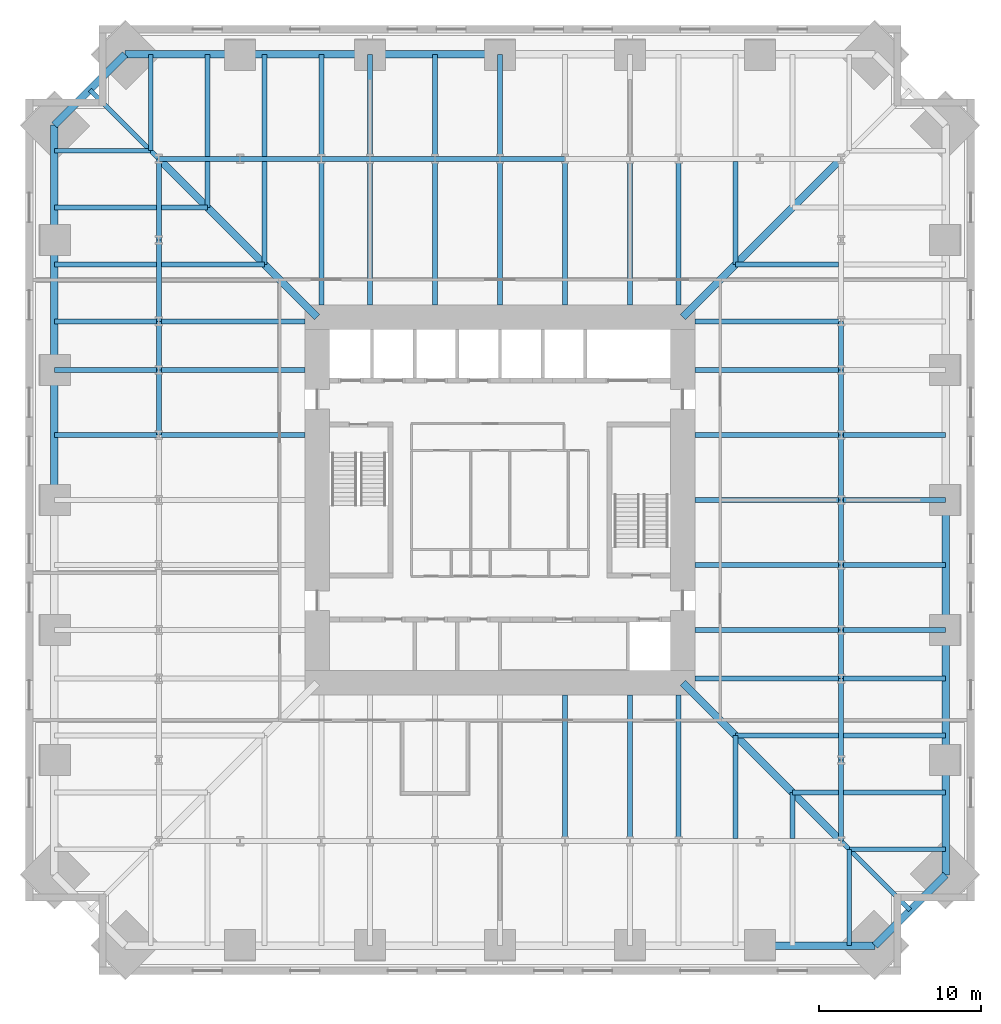
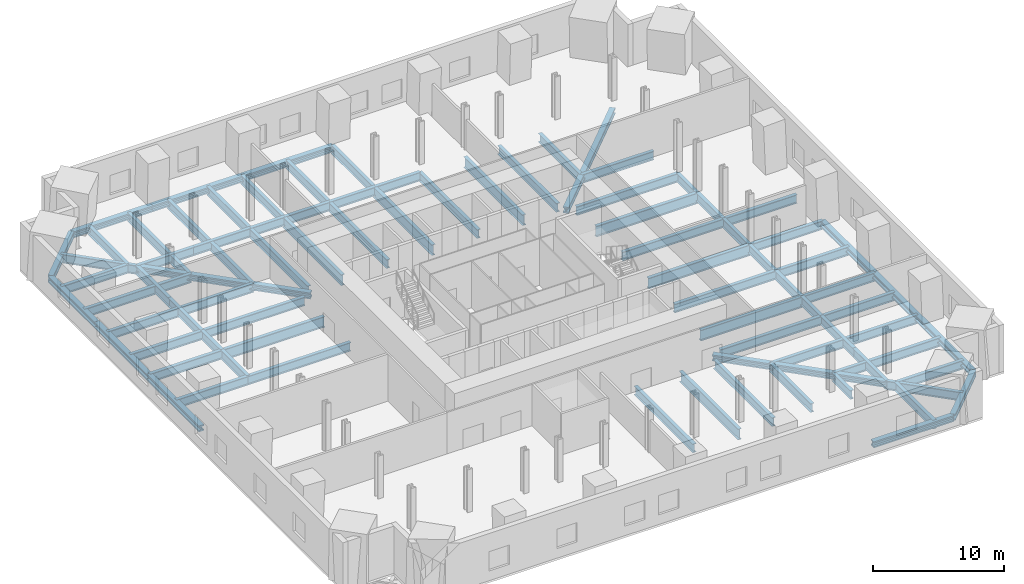
# One storey, part 2 of 8: 77 beams, 10 members.
"""IFC4 building model written with IfcOpenShell, lengths in metres."""

from ifc_helpers import new_model, si_unit, direction, frame, origin, origin_2d, place, context, subcontext, project, spatial, i_section, extrude, material, material_profile, profile_set, type_object, element, save


model = new_model("IFC4")

# Units and contexts
model_context = context("Model", 3, precision=1e-05, world=origin(), true_north=direction((0.0, 1.0)))
body_context = subcontext(model_context, "Body", "Model", "MODEL_VIEW")
ifc_project = project(units=[si_unit("LENGTHUNIT", "METRE"), si_unit("AREAUNIT", "SQUARE_METRE"), si_unit("VOLUMEUNIT", "CUBIC_METRE"), si_unit("PLANEANGLEUNIT", "RADIAN"), si_unit("MASSUNIT", "GRAM", prefix="KILO")], contexts=[model_context])

# Site, building, storey
site_placement = place(None, origin())
site = spatial("IfcSite", under=ifc_project, at=site_placement, CompositionType="ELEMENT")
building_placement = place(site_placement, origin())
building = spatial("IfcBuilding", under=site, at=building_placement, Name="Peilmerk Tower", CompositionType="ELEMENT")
storey_placement = place(building_placement, frame((0.0, 0.0, 86.0)))
storey = spatial("IfcBuildingStorey", under=building, at=storey_placement, Name="L16", CompositionType="ELEMENT", Elevation=86.0)

# Beams
ifc_material_1 = material(Name="Steel S460", Category="steel")
ifc_material_profile_1 = material_profile(ifc_material_1, i_section(OverallWidth=0.4541015625, OverallDepth=0.569091796875, WebThickness=0.077880859375, FlangeThickness=0.125, at=origin_2d()), Name="HD 400x1086")
ifc_profile_set_1 = profile_set([ifc_material_profile_1], Name="Steel S460")
beam_type_1 = type_object("IfcBeamType", Name="B17 HD 400x1086 edge beam", PredefinedType="SPANDREL", material=ifc_profile_set_1)
for number, where, z_axis, x_axis, name in (
    (1, (27.428955078125, -23.0791015625, -0.484619140625), (-0.707106781187, -0.707106781187, 0.0), (0.707106781187, -0.707106781187, 0.0), "Notch beam L16"),
    (2, (-27.428955078125, 23.0791015625, -0.484619140625), (0.707106781187, 0.707106781187, 0.0), (-0.707106781187, 0.707106781187, 0.0), "Notch beam L16"),
):
    element("IfcBeam", number, at=place(storey_placement, frame(where, z_axis=z_axis, x_axis=x_axis)), inside=storey, type_object=beam_type_1, Name=name, PredefinedType="SPANDREL", context=body_context, shape_type="SweptSolid", body=[
        extrude(i_section(OverallWidth=0.4541015625, OverallDepth=0.569091796875, WebThickness=0.077880859375, FlangeThickness=0.125, at=origin_2d()), origin(), (0.0, 0.0, 1.0), 6.151611328125),
    ])
ifc_material_2 = material(Name="Steel S355", Category="steel")
ifc_material_profile_2 = material_profile(ifc_material_2, i_section(OverallWidth=0.302001953125, OverallDepth=1.008056640625, WebThickness=0.02099609375, FlangeThickness=0.0400390625, at=origin_2d()), Name="HEM 1000")
ifc_profile_set_2 = profile_set([ifc_material_profile_2], Name="Steel S355")
beam_type_2 = type_object("IfcBeamType", Name="B24 HEM 1000 floor girder", PredefinedType="BEAM", material=ifc_profile_set_2)
for number, where, z_axis, x_axis, name in (
    (3, (8.0, 12.0, -0.7041015625), (0.0, 1.0, 0.0), (-1.0, 0.0, 0.0), "Floor girder L16"),
    (4, (0.0, 12.0, -0.7041015625), (0.0, 1.0, 0.0), (-1.0, 0.0, 0.0), "Floor girder L16"),
    (5, (-8.0, 12.0, -0.7041015625), (0.0, 1.0, 0.0), (-1.0, 0.0, 0.0), "Floor girder L16"),
    (6, (12.0, -8.0, -0.7041015625), (1.0, 0.0, 0.0), (0.0, 1.0, 0.0), "Floor girder L16"),
    (7, (12.0, 0.0, -0.7041015625), (1.0, 0.0, 0.0), (0.0, 1.0, 0.0), "Floor girder L16"),
    (8, (12.0, 8.0, -0.7041015625), (1.0, 0.0, 0.0), (0.0, 1.0, 0.0), "Floor girder L16"),
    (9, (8.0, -12.0, -0.7041015625), (0.0, -1.0, 0.0), (1.0, 0.0, 0.0), "Floor girder L16"),
    (10, (-12.0, 8.0, -0.7041015625), (-1.0, 0.0, 0.0), (0.0, -1.0, 0.0), "Floor girder L16"),
):
    element("IfcBeam", number, at=place(storey_placement, frame(where, z_axis=z_axis, x_axis=x_axis)), inside=storey, type_object=beam_type_2, Name=name, PredefinedType="BEAM", context=body_context, shape_type="SweptSolid", body=[
        extrude(i_section(OverallWidth=0.302001953125, OverallDepth=1.008056640625, WebThickness=0.02099609375, FlangeThickness=0.0400390625, at=origin_2d()), origin(), (0.0, 0.0, 1.0), 9.0),
    ])
ifc_material_profile_3 = material_profile(ifc_material_1, i_section(OverallWidth=0.302978515625, OverallDepth=0.81396484375, WebThickness=0.02099609375, FlangeThickness=0.0400390625, at=origin_2d()), Name="HEM 800")
ifc_profile_set_3 = profile_set([ifc_material_profile_3], Name="Steel S460")
beam_type_3 = type_object("IfcBeamType", Name="B26 HEM 800 floor beam", PredefinedType="BEAM", material=ifc_profile_set_3)
for number, where, z_axis, x_axis, name in (
    (11, (11.0, 12.0, -0.60693359375), (0.0, 1.0, 0.0), (-1.0, 0.0, 0.0), "Floor beam L16"),
    (12, (4.0, 12.0, -0.60693359375), (0.0, 1.0, 0.0), (-1.0, 0.0, 0.0), "Floor beam L16"),
):
    element("IfcBeam", number, at=place(storey_placement, frame(where, z_axis=z_axis, x_axis=x_axis)), inside=storey, type_object=beam_type_3, Name=name, PredefinedType="BEAM", context=body_context, shape_type="SweptSolid", body=[
        extrude(i_section(OverallWidth=0.302978515625, OverallDepth=0.81396484375, WebThickness=0.02099609375, FlangeThickness=0.0400390625, at=origin_2d()), origin(), (0.0, 0.0, 1.0), 9.0),
    ])
beam_1_placement = place(storey_placement, frame((0.0, 21.0, -0.60693359375), z_axis=(0.0, 1.0, 0.0), x_axis=(-1.0, 0.0, 0.0)))
element("IfcBeam", 13, at=beam_1_placement, inside=storey, type_object=beam_type_3, Name="Floor girder L16", PredefinedType="BEAM", context=body_context, shape_type="SweptSolid", body=[
    extrude(i_section(OverallWidth=0.302978515625, OverallDepth=0.81396484375, WebThickness=0.02099609375, FlangeThickness=0.0400390625, at=origin_2d()), origin(), (0.0, 0.0, 1.0), 6.428955078125),
])
beam_2_placement = place(storey_placement, frame((-4.0, 12.0, -0.60693359375), z_axis=(0.0, 1.0, 0.0), x_axis=(-1.0, 0.0, 0.0)))
element("IfcBeam", 14, at=beam_2_placement, inside=storey, type_object=beam_type_3, Name="Floor beam L16", PredefinedType="BEAM", context=body_context, shape_type="SweptSolid", body=[
    extrude(i_section(OverallWidth=0.302978515625, OverallDepth=0.81396484375, WebThickness=0.02099609375, FlangeThickness=0.0400390625, at=origin_2d()), origin(), (0.0, 0.0, 1.0), 9.0),
])
for number, where, z_axis, x_axis, name in (
    (15, (-4.0, 21.0, -0.60693359375), (0.0, 1.0, 0.0), (-1.0, 0.0, 0.0), "Floor beam L16"),
    (16, (-8.0, 21.0, -0.60693359375), (0.0, 1.0, 0.0), (-1.0, 0.0, 0.0), "Floor girder L16"),
):
    element("IfcBeam", number, at=place(storey_placement, frame(where, z_axis=z_axis, x_axis=x_axis)), inside=storey, type_object=beam_type_3, Name=name, PredefinedType="BEAM", context=body_context, shape_type="SweptSolid", body=[
        extrude(i_section(OverallWidth=0.302978515625, OverallDepth=0.81396484375, WebThickness=0.02099609375, FlangeThickness=0.0400390625, at=origin_2d()), origin(), (0.0, 0.0, 1.0), 6.428955078125),
    ])
beam_3_placement = place(storey_placement, frame((-11.0, 12.0, -0.60693359375), z_axis=(0.0, 1.0, 0.0), x_axis=(-1.0, 0.0, 0.0)))
element("IfcBeam", 17, at=beam_3_placement, inside=storey, type_object=beam_type_3, Name="Floor beam L16", PredefinedType="BEAM", context=body_context, shape_type="SweptSolid", body=[
    extrude(i_section(OverallWidth=0.302978515625, OverallDepth=0.81396484375, WebThickness=0.02099609375, FlangeThickness=0.0400390625, at=origin_2d()), origin(), (0.0, 0.0, 1.0), 9.0),
])
beam_4_placement = place(storey_placement, frame((-11.0, 21.0, -0.60693359375), z_axis=(0.0, 1.0, 0.0), x_axis=(-1.0, 0.0, 0.0)))
element("IfcBeam", 18, at=beam_4_placement, inside=storey, type_object=beam_type_3, Name="Floor beam L16", PredefinedType="BEAM", context=body_context, shape_type="SweptSolid", body=[
    extrude(i_section(OverallWidth=0.302978515625, OverallDepth=0.81396484375, WebThickness=0.02099609375, FlangeThickness=0.0400390625, at=origin_2d()), origin(), (0.0, 0.0, 1.0), 6.428955078125),
])
for number, where, z_axis, x_axis, name in (
    (19, (4.0, 21.0, -0.60693359375), (-1.0, 0.0, 0.0), (0.0, -1.0, 0.0), "Ring girder L16"),
    (20, (0.0, 21.0, -0.60693359375), (-1.0, 0.0, 0.0), (0.0, -1.0, 0.0), "Ring girder L16"),
    (21, (-4.0, 21.0, -0.60693359375), (-1.0, 0.0, 0.0), (0.0, -1.0, 0.0), "Ring girder L16"),
):
    element("IfcBeam", number, at=place(storey_placement, frame(where, z_axis=z_axis, x_axis=x_axis)), inside=storey, type_object=beam_type_3, Name=name, PredefinedType="BEAM", context=body_context, shape_type="SweptSolid", body=[
        extrude(i_section(OverallWidth=0.302978515625, OverallDepth=0.81396484375, WebThickness=0.02099609375, FlangeThickness=0.0400390625, at=origin_2d()), origin(), (0.0, 0.0, 1.0), 4.0),
    ])
beam_5_placement = place(storey_placement, frame((-8.0, 21.0, -0.60693359375), z_axis=(-1.0, 0.0, 0.0), x_axis=(0.0, -1.0, 0.0)))
element("IfcBeam", 22, at=beam_5_placement, inside=storey, type_object=beam_type_3, Name="Ring girder L16", PredefinedType="BEAM", context=body_context, shape_type="SweptSolid", body=[
    extrude(i_section(OverallWidth=0.302978515625, OverallDepth=0.81396484375, WebThickness=0.02099609375, FlangeThickness=0.0400390625, at=origin_2d()), origin(), (0.0, 0.0, 1.0), 3.0),
])
for number, where, z_axis, x_axis, name in (
    (23, (-11.0, 21.0, -0.60693359375), (-1.0, 0.0, 0.0), (0.0, -1.0, 0.0), "Ring girder L16"),
    (24, (-16.0, 21.0, -0.60693359375), (-1.0, 0.0, 0.0), (0.0, -1.0, 0.0), "Ring girder L16"),
):
    element("IfcBeam", number, at=place(storey_placement, frame(where, z_axis=z_axis, x_axis=x_axis)), inside=storey, type_object=beam_type_3, Name=name, PredefinedType="BEAM", context=body_context, shape_type="SweptSolid", body=[
        extrude(i_section(OverallWidth=0.302978515625, OverallDepth=0.81396484375, WebThickness=0.02099609375, FlangeThickness=0.0400390625, at=origin_2d()), origin(), (0.0, 0.0, 1.0), 5.0),
    ])
beam_6_placement = place(storey_placement, frame((12.0, -11.0, -0.60693359375), z_axis=(1.0, 0.0, 0.0), x_axis=(0.0, 1.0, 0.0)))
element("IfcBeam", 25, at=beam_6_placement, inside=storey, type_object=beam_type_3, Name="Floor beam L16", PredefinedType="BEAM", context=body_context, shape_type="SweptSolid", body=[
    extrude(i_section(OverallWidth=0.302978515625, OverallDepth=0.81396484375, WebThickness=0.02099609375, FlangeThickness=0.0400390625, at=origin_2d()), origin(), (0.0, 0.0, 1.0), 9.0),
])
for number, where, z_axis, x_axis, name in (
    (26, (21.0, -11.0, -0.60693359375), (1.0, 0.0, 0.0), (0.0, 1.0, 0.0), "Floor beam L16"),
    (27, (21.0, -8.0, -0.60693359375), (1.0, 0.0, 0.0), (0.0, 1.0, 0.0), "Floor girder L16"),
):
    element("IfcBeam", number, at=place(storey_placement, frame(where, z_axis=z_axis, x_axis=x_axis)), inside=storey, type_object=beam_type_3, Name=name, PredefinedType="BEAM", context=body_context, shape_type="SweptSolid", body=[
        extrude(i_section(OverallWidth=0.302978515625, OverallDepth=0.81396484375, WebThickness=0.02099609375, FlangeThickness=0.0400390625, at=origin_2d()), origin(), (0.0, 0.0, 1.0), 6.428955078125),
    ])
beam_7_placement = place(storey_placement, frame((12.0, -4.0, -0.60693359375), z_axis=(1.0, 0.0, 0.0), x_axis=(0.0, 1.0, 0.0)))
element("IfcBeam", 28, at=beam_7_placement, inside=storey, type_object=beam_type_3, Name="Floor beam L16", PredefinedType="BEAM", context=body_context, shape_type="SweptSolid", body=[
    extrude(i_section(OverallWidth=0.302978515625, OverallDepth=0.81396484375, WebThickness=0.02099609375, FlangeThickness=0.0400390625, at=origin_2d()), origin(), (0.0, 0.0, 1.0), 9.0),
])
for number, where, z_axis, x_axis, name in (
    (29, (21.0, -4.0, -0.60693359375), (1.0, 0.0, 0.0), (0.0, 1.0, 0.0), "Floor beam L16"),
    (30, (21.0, 0.0, -0.60693359375), (1.0, 0.0, 0.0), (0.0, 1.0, 0.0), "Floor girder L16"),
):
    element("IfcBeam", number, at=place(storey_placement, frame(where, z_axis=z_axis, x_axis=x_axis)), inside=storey, type_object=beam_type_3, Name=name, PredefinedType="BEAM", context=body_context, shape_type="SweptSolid", body=[
        extrude(i_section(OverallWidth=0.302978515625, OverallDepth=0.81396484375, WebThickness=0.02099609375, FlangeThickness=0.0400390625, at=origin_2d()), origin(), (0.0, 0.0, 1.0), 6.428955078125),
    ])
beam_8_placement = place(storey_placement, frame((12.0, 4.0, -0.60693359375), z_axis=(1.0, 0.0, 0.0), x_axis=(0.0, 1.0, 0.0)))
element("IfcBeam", 31, at=beam_8_placement, inside=storey, type_object=beam_type_3, Name="Floor beam L16", PredefinedType="BEAM", context=body_context, shape_type="SweptSolid", body=[
    extrude(i_section(OverallWidth=0.302978515625, OverallDepth=0.81396484375, WebThickness=0.02099609375, FlangeThickness=0.0400390625, at=origin_2d()), origin(), (0.0, 0.0, 1.0), 9.0),
])
beam_9_placement = place(storey_placement, frame((21.0, 4.0, -0.60693359375), z_axis=(1.0, 0.0, 0.0), x_axis=(0.0, 1.0, 0.0)))
element("IfcBeam", 32, at=beam_9_placement, inside=storey, type_object=beam_type_3, Name="Floor beam L16", PredefinedType="BEAM", context=body_context, shape_type="SweptSolid", body=[
    extrude(i_section(OverallWidth=0.302978515625, OverallDepth=0.81396484375, WebThickness=0.02099609375, FlangeThickness=0.0400390625, at=origin_2d()), origin(), (0.0, 0.0, 1.0), 6.428955078125),
])
beam_10_placement = place(storey_placement, frame((12.0, 11.0, -0.60693359375), z_axis=(1.0, 0.0, 0.0), x_axis=(0.0, 1.0, 0.0)))
element("IfcBeam", 33, at=beam_10_placement, inside=storey, type_object=beam_type_3, Name="Floor beam L16", PredefinedType="BEAM", context=body_context, shape_type="SweptSolid", body=[
    extrude(i_section(OverallWidth=0.302978515625, OverallDepth=0.81396484375, WebThickness=0.02099609375, FlangeThickness=0.0400390625, at=origin_2d()), origin(), (0.0, 0.0, 1.0), 9.0),
])
for number, where, z_axis, x_axis, name in (
    (34, (21.0, -21.0, -0.60693359375), (0.0, 1.0, 0.0), (-1.0, 0.0, 0.0), "Ring girder L16"),
    (35, (21.0, -16.0, -0.60693359375), (0.0, 1.0, 0.0), (-1.0, 0.0, 0.0), "Ring girder L16"),
):
    element("IfcBeam", number, at=place(storey_placement, frame(where, z_axis=z_axis, x_axis=x_axis)), inside=storey, type_object=beam_type_3, Name=name, PredefinedType="BEAM", context=body_context, shape_type="SweptSolid", body=[
        extrude(i_section(OverallWidth=0.302978515625, OverallDepth=0.81396484375, WebThickness=0.02099609375, FlangeThickness=0.0400390625, at=origin_2d()), origin(), (0.0, 0.0, 1.0), 5.0),
    ])
beam_11_placement = place(storey_placement, frame((21.0, -11.0, -0.60693359375), z_axis=(0.0, 1.0, 0.0), x_axis=(-1.0, 0.0, 0.0)))
element("IfcBeam", 36, at=beam_11_placement, inside=storey, type_object=beam_type_3, Name="Ring girder L16", PredefinedType="BEAM", context=body_context, shape_type="SweptSolid", body=[
    extrude(i_section(OverallWidth=0.302978515625, OverallDepth=0.81396484375, WebThickness=0.02099609375, FlangeThickness=0.0400390625, at=origin_2d()), origin(), (0.0, 0.0, 1.0), 3.0),
])
for number, where, z_axis, x_axis, name in (
    (37, (21.0, -8.0, -0.60693359375), (0.0, 1.0, 0.0), (-1.0, 0.0, 0.0), "Ring girder L16"),
    (38, (21.0, -4.0, -0.60693359375), (0.0, 1.0, 0.0), (-1.0, 0.0, 0.0), "Ring girder L16"),
    (39, (21.0, 0.0, -0.60693359375), (0.0, 1.0, 0.0), (-1.0, 0.0, 0.0), "Ring girder L16"),
    (40, (21.0, 4.0, -0.60693359375), (0.0, 1.0, 0.0), (-1.0, 0.0, 0.0), "Ring girder L16"),
):
    element("IfcBeam", number, at=place(storey_placement, frame(where, z_axis=z_axis, x_axis=x_axis)), inside=storey, type_object=beam_type_3, Name=name, PredefinedType="BEAM", context=body_context, shape_type="SweptSolid", body=[
        extrude(i_section(OverallWidth=0.302978515625, OverallDepth=0.81396484375, WebThickness=0.02099609375, FlangeThickness=0.0400390625, at=origin_2d()), origin(), (0.0, 0.0, 1.0), 4.0),
    ])
beam_12_placement = place(storey_placement, frame((21.0, 8.0, -0.60693359375), z_axis=(0.0, 1.0, 0.0), x_axis=(-1.0, 0.0, 0.0)))
element("IfcBeam", 41, at=beam_12_placement, inside=storey, type_object=beam_type_3, Name="Ring girder L16", PredefinedType="BEAM", context=body_context, shape_type="SweptSolid", body=[
    extrude(i_section(OverallWidth=0.302978515625, OverallDepth=0.81396484375, WebThickness=0.02099609375, FlangeThickness=0.0400390625, at=origin_2d()), origin(), (0.0, 0.0, 1.0), 3.0),
])
for number, where, z_axis, x_axis, name in (
    (42, (4.0, -12.0, -0.60693359375), (0.0, -1.0, 0.0), (1.0, 0.0, 0.0), "Floor beam L16"),
    (43, (11.0, -12.0, -0.60693359375), (0.0, -1.0, 0.0), (1.0, 0.0, 0.0), "Floor beam L16"),
    (44, (-12.0, 11.0, -0.60693359375), (-1.0, 0.0, 0.0), (0.0, -1.0, 0.0), "Floor beam L16"),
):
    element("IfcBeam", number, at=place(storey_placement, frame(where, z_axis=z_axis, x_axis=x_axis)), inside=storey, type_object=beam_type_3, Name=name, PredefinedType="BEAM", context=body_context, shape_type="SweptSolid", body=[
        extrude(i_section(OverallWidth=0.302978515625, OverallDepth=0.81396484375, WebThickness=0.02099609375, FlangeThickness=0.0400390625, at=origin_2d()), origin(), (0.0, 0.0, 1.0), 9.0),
    ])
for number, where, z_axis, x_axis, name in (
    (45, (-21.0, 11.0, -0.60693359375), (-1.0, 0.0, 0.0), (0.0, -1.0, 0.0), "Floor beam L16"),
    (46, (-21.0, 8.0, -0.60693359375), (-1.0, 0.0, 0.0), (0.0, -1.0, 0.0), "Floor girder L16"),
):
    element("IfcBeam", number, at=place(storey_placement, frame(where, z_axis=z_axis, x_axis=x_axis)), inside=storey, type_object=beam_type_3, Name=name, PredefinedType="BEAM", context=body_context, shape_type="SweptSolid", body=[
        extrude(i_section(OverallWidth=0.302978515625, OverallDepth=0.81396484375, WebThickness=0.02099609375, FlangeThickness=0.0400390625, at=origin_2d()), origin(), (0.0, 0.0, 1.0), 6.428955078125),
    ])
beam_13_placement = place(storey_placement, frame((-12.0, 4.0, -0.60693359375), z_axis=(-1.0, 0.0, 0.0), x_axis=(0.0, -1.0, 0.0)))
element("IfcBeam", 47, at=beam_13_placement, inside=storey, type_object=beam_type_3, Name="Floor beam L16", PredefinedType="BEAM", context=body_context, shape_type="SweptSolid", body=[
    extrude(i_section(OverallWidth=0.302978515625, OverallDepth=0.81396484375, WebThickness=0.02099609375, FlangeThickness=0.0400390625, at=origin_2d()), origin(), (0.0, 0.0, 1.0), 9.0),
])
beam_14_placement = place(storey_placement, frame((-21.0, 4.0, -0.60693359375), z_axis=(-1.0, 0.0, 0.0), x_axis=(0.0, -1.0, 0.0)))
element("IfcBeam", 48, at=beam_14_placement, inside=storey, type_object=beam_type_3, Name="Floor beam L16", PredefinedType="BEAM", context=body_context, shape_type="SweptSolid", body=[
    extrude(i_section(OverallWidth=0.302978515625, OverallDepth=0.81396484375, WebThickness=0.02099609375, FlangeThickness=0.0400390625, at=origin_2d()), origin(), (0.0, 0.0, 1.0), 6.428955078125),
])
for number, where, z_axis, x_axis, name in (
    (49, (-21.0, 21.0, -0.60693359375), (0.0, -1.0, 0.0), (1.0, 0.0, 0.0), "Ring girder L16"),
    (50, (-21.0, 16.0, -0.60693359375), (0.0, -1.0, 0.0), (1.0, 0.0, 0.0), "Ring girder L16"),
):
    element("IfcBeam", number, at=place(storey_placement, frame(where, z_axis=z_axis, x_axis=x_axis)), inside=storey, type_object=beam_type_3, Name=name, PredefinedType="BEAM", context=body_context, shape_type="SweptSolid", body=[
        extrude(i_section(OverallWidth=0.302978515625, OverallDepth=0.81396484375, WebThickness=0.02099609375, FlangeThickness=0.0400390625, at=origin_2d()), origin(), (0.0, 0.0, 1.0), 5.0),
    ])
beam_15_placement = place(storey_placement, frame((-21.0, 11.0, -0.60693359375), z_axis=(0.0, -1.0, 0.0), x_axis=(1.0, 0.0, 0.0)))
element("IfcBeam", 51, at=beam_15_placement, inside=storey, type_object=beam_type_3, Name="Ring girder L16", PredefinedType="BEAM", context=body_context, shape_type="SweptSolid", body=[
    extrude(i_section(OverallWidth=0.302978515625, OverallDepth=0.81396484375, WebThickness=0.02099609375, FlangeThickness=0.0400390625, at=origin_2d()), origin(), (0.0, 0.0, 1.0), 3.0),
])
beam_16_placement = place(storey_placement, frame((-21.0, 8.0, -0.60693359375), z_axis=(0.0, -1.0, 0.0), x_axis=(1.0, 0.0, 0.0)))
element("IfcBeam", 52, at=beam_16_placement, inside=storey, type_object=beam_type_3, Name="Ring girder L16", PredefinedType="BEAM", context=body_context, shape_type="SweptSolid", body=[
    extrude(i_section(OverallWidth=0.302978515625, OverallDepth=0.81396484375, WebThickness=0.02099609375, FlangeThickness=0.0400390625, at=origin_2d()), origin(), (0.0, 0.0, 1.0), 4.0),
])
for number, where, z_axis, x_axis, name in (
    (53, (14.5, 14.5, -0.60693359375), (0.0, 1.0, 0.0), (-1.0, 0.0, 0.0), "Floor beam L16"),
    (54, (14.5, 14.5, -0.60693359375), (1.0, 0.0, 0.0), (0.0, 1.0, 0.0), "Floor beam L16"),
):
    element("IfcBeam", number, at=place(storey_placement, frame(where, z_axis=z_axis, x_axis=x_axis)), inside=storey, type_object=beam_type_3, Name=name, PredefinedType="BEAM", context=body_context, shape_type="SweptSolid", body=[
        extrude(i_section(OverallWidth=0.302978515625, OverallDepth=0.81396484375, WebThickness=0.02099609375, FlangeThickness=0.0400390625, at=origin_2d()), origin(), (0.0, 0.0, 1.0), 6.348388671875),
    ])
beam_17_placement = place(storey_placement, frame((21.0, -21.0, -0.60693359375), z_axis=(0.707106781187, -0.707106781187, 0.0), x_axis=(0.707106781187, 0.707106781187, 0.0)))
element("IfcBeam", 55, at=beam_17_placement, inside=storey, type_object=beam_type_3, Name="Corner girder L16", PredefinedType="BEAM", context=body_context, shape_type="SweptSolid", body=[
    extrude(i_section(OverallWidth=0.302978515625, OverallDepth=0.81396484375, WebThickness=0.02099609375, FlangeThickness=0.0400390625, at=origin_2d()), origin(), (0.0, 0.0, 1.0), 6.016357421875),
])
for number, where, z_axis, x_axis, name in (
    (56, (14.5, -14.5, -0.60693359375), (0.0, -1.0, 0.0), (1.0, 0.0, 0.0), "Floor beam L16"),
    (57, (14.5, -14.5, -0.60693359375), (1.0, 0.0, 0.0), (0.0, 1.0, 0.0), "Floor beam L16"),
):
    element("IfcBeam", number, at=place(storey_placement, frame(where, z_axis=z_axis, x_axis=x_axis)), inside=storey, type_object=beam_type_3, Name=name, PredefinedType="BEAM", context=body_context, shape_type="SweptSolid", body=[
        extrude(i_section(OverallWidth=0.302978515625, OverallDepth=0.81396484375, WebThickness=0.02099609375, FlangeThickness=0.0400390625, at=origin_2d()), origin(), (0.0, 0.0, 1.0), 6.348388671875),
    ])
beam_18_placement = place(storey_placement, frame((21.151611328125, -14.5, -0.60693359375), z_axis=(1.0, 0.0, 0.0), x_axis=(0.0, 1.0, 0.0)))
element("IfcBeam", 58, at=beam_18_placement, inside=storey, type_object=beam_type_3, Name="Floor beam L16", PredefinedType="BEAM", context=body_context, shape_type="SweptSolid", body=[
    extrude(i_section(OverallWidth=0.302978515625, OverallDepth=0.81396484375, WebThickness=0.02099609375, FlangeThickness=0.0400390625, at=origin_2d()), origin(), (0.0, 0.0, 1.0), 6.27734375),
])
for number, where, z_axis, x_axis, name in (
    (59, (18.0, -18.0, -0.60693359375), (0.0, -1.0, 0.0), (1.0, 0.0, 0.0), "Floor beam L16"),
    (60, (18.0, -18.0, -0.60693359375), (1.0, 0.0, 0.0), (0.0, 1.0, 0.0), "Floor beam L16"),
):
    element("IfcBeam", number, at=place(storey_placement, frame(where, z_axis=z_axis, x_axis=x_axis)), inside=storey, type_object=beam_type_3, Name=name, PredefinedType="BEAM", context=body_context, shape_type="SweptSolid", body=[
        extrude(i_section(OverallWidth=0.302978515625, OverallDepth=0.81396484375, WebThickness=0.02099609375, FlangeThickness=0.0400390625, at=origin_2d()), origin(), (0.0, 0.0, 1.0), 2.848388671875),
    ])
beam_19_placement = place(storey_placement, frame((21.151611328125, -18.0, -0.60693359375), z_axis=(1.0, 0.0, 0.0), x_axis=(0.0, 1.0, 0.0)))
element("IfcBeam", 61, at=beam_19_placement, inside=storey, type_object=beam_type_3, Name="Floor beam L16", PredefinedType="BEAM", context=body_context, shape_type="SweptSolid", body=[
    extrude(i_section(OverallWidth=0.302978515625, OverallDepth=0.81396484375, WebThickness=0.02099609375, FlangeThickness=0.0400390625, at=origin_2d()), origin(), (0.0, 0.0, 1.0), 6.27734375),
])
for number, where, z_axis, x_axis, name in (
    (62, (21.5, -21.5, -0.60693359375), (0.0, -1.0, 0.0), (1.0, 0.0, 0.0), "Floor beam L16"),
    (63, (21.5, -21.5, -0.60693359375), (1.0, 0.0, 0.0), (0.0, 1.0, 0.0), "Floor beam L16"),
):
    element("IfcBeam", number, at=place(storey_placement, frame(where, z_axis=z_axis, x_axis=x_axis)), inside=storey, type_object=beam_type_3, Name=name, PredefinedType="BEAM", context=body_context, shape_type="SweptSolid", body=[
        extrude(i_section(OverallWidth=0.302978515625, OverallDepth=0.81396484375, WebThickness=0.02099609375, FlangeThickness=0.0400390625, at=origin_2d()), origin(), (0.0, 0.0, 1.0), 5.928955078125),
    ])
beam_20_placement = place(storey_placement, frame((-21.0, 21.0, -0.60693359375), z_axis=(-0.707106781187, 0.707106781187, 0.0), x_axis=(-0.707106781187, -0.707106781187, 0.0)))
element("IfcBeam", 64, at=beam_20_placement, inside=storey, type_object=beam_type_3, Name="Corner girder L16", PredefinedType="BEAM", context=body_context, shape_type="SweptSolid", body=[
    extrude(i_section(OverallWidth=0.302978515625, OverallDepth=0.81396484375, WebThickness=0.02099609375, FlangeThickness=0.0400390625, at=origin_2d()), origin(), (0.0, 0.0, 1.0), 6.016357421875),
])
beam_21_placement = place(storey_placement, frame((-14.5, 14.5, -0.60693359375), z_axis=(0.0, 1.0, 0.0), x_axis=(-1.0, 0.0, 0.0)))
element("IfcBeam", 65, at=beam_21_placement, inside=storey, type_object=beam_type_3, Name="Floor beam L16", PredefinedType="BEAM", context=body_context, shape_type="SweptSolid", body=[
    extrude(i_section(OverallWidth=0.302978515625, OverallDepth=0.81396484375, WebThickness=0.02099609375, FlangeThickness=0.0400390625, at=origin_2d()), origin(), (0.0, 0.0, 1.0), 6.348388671875),
])
beam_22_placement = place(storey_placement, frame((-14.5, 21.151611328125, -0.60693359375), z_axis=(0.0, 1.0, 0.0), x_axis=(-1.0, 0.0, 0.0)))
element("IfcBeam", 66, at=beam_22_placement, inside=storey, type_object=beam_type_3, Name="Floor beam L16", PredefinedType="BEAM", context=body_context, shape_type="SweptSolid", body=[
    extrude(i_section(OverallWidth=0.302978515625, OverallDepth=0.81396484375, WebThickness=0.02099609375, FlangeThickness=0.0400390625, at=origin_2d()), origin(), (0.0, 0.0, 1.0), 6.27734375),
])
beam_23_placement = place(storey_placement, frame((-14.5, 14.5, -0.60693359375), z_axis=(-1.0, 0.0, 0.0), x_axis=(0.0, -1.0, 0.0)))
element("IfcBeam", 67, at=beam_23_placement, inside=storey, type_object=beam_type_3, Name="Floor beam L16", PredefinedType="BEAM", context=body_context, shape_type="SweptSolid", body=[
    extrude(i_section(OverallWidth=0.302978515625, OverallDepth=0.81396484375, WebThickness=0.02099609375, FlangeThickness=0.0400390625, at=origin_2d()), origin(), (0.0, 0.0, 1.0), 6.348388671875),
])
beam_24_placement = place(storey_placement, frame((-21.151611328125, 14.5, -0.60693359375), z_axis=(-1.0, 0.0, 0.0), x_axis=(0.0, -1.0, 0.0)))
element("IfcBeam", 68, at=beam_24_placement, inside=storey, type_object=beam_type_3, Name="Floor beam L16", PredefinedType="BEAM", context=body_context, shape_type="SweptSolid", body=[
    extrude(i_section(OverallWidth=0.302978515625, OverallDepth=0.81396484375, WebThickness=0.02099609375, FlangeThickness=0.0400390625, at=origin_2d()), origin(), (0.0, 0.0, 1.0), 6.27734375),
])
beam_25_placement = place(storey_placement, frame((-18.0, 18.0, -0.60693359375), z_axis=(0.0, 1.0, 0.0), x_axis=(-1.0, 0.0, 0.0)))
element("IfcBeam", 69, at=beam_25_placement, inside=storey, type_object=beam_type_3, Name="Floor beam L16", PredefinedType="BEAM", context=body_context, shape_type="SweptSolid", body=[
    extrude(i_section(OverallWidth=0.302978515625, OverallDepth=0.81396484375, WebThickness=0.02099609375, FlangeThickness=0.0400390625, at=origin_2d()), origin(), (0.0, 0.0, 1.0), 2.848388671875),
])
beam_26_placement = place(storey_placement, frame((-18.0, 21.151611328125, -0.60693359375), z_axis=(0.0, 1.0, 0.0), x_axis=(-1.0, 0.0, 0.0)))
element("IfcBeam", 70, at=beam_26_placement, inside=storey, type_object=beam_type_3, Name="Floor beam L16", PredefinedType="BEAM", context=body_context, shape_type="SweptSolid", body=[
    extrude(i_section(OverallWidth=0.302978515625, OverallDepth=0.81396484375, WebThickness=0.02099609375, FlangeThickness=0.0400390625, at=origin_2d()), origin(), (0.0, 0.0, 1.0), 6.27734375),
])
beam_27_placement = place(storey_placement, frame((-18.0, 18.0, -0.60693359375), z_axis=(-1.0, 0.0, 0.0), x_axis=(0.0, -1.0, 0.0)))
element("IfcBeam", 71, at=beam_27_placement, inside=storey, type_object=beam_type_3, Name="Floor beam L16", PredefinedType="BEAM", context=body_context, shape_type="SweptSolid", body=[
    extrude(i_section(OverallWidth=0.302978515625, OverallDepth=0.81396484375, WebThickness=0.02099609375, FlangeThickness=0.0400390625, at=origin_2d()), origin(), (0.0, 0.0, 1.0), 2.848388671875),
])
beam_28_placement = place(storey_placement, frame((-21.151611328125, 18.0, -0.60693359375), z_axis=(-1.0, 0.0, 0.0), x_axis=(0.0, -1.0, 0.0)))
element("IfcBeam", 72, at=beam_28_placement, inside=storey, type_object=beam_type_3, Name="Floor beam L16", PredefinedType="BEAM", context=body_context, shape_type="SweptSolid", body=[
    extrude(i_section(OverallWidth=0.302978515625, OverallDepth=0.81396484375, WebThickness=0.02099609375, FlangeThickness=0.0400390625, at=origin_2d()), origin(), (0.0, 0.0, 1.0), 6.27734375),
])
for number, where, z_axis, x_axis, name in (
    (73, (-21.5, 21.5, -0.60693359375), (0.0, 1.0, 0.0), (-1.0, 0.0, 0.0), "Floor beam L16"),
    (74, (-21.5, 21.5, -0.60693359375), (-1.0, 0.0, 0.0), (0.0, -1.0, 0.0), "Floor beam L16"),
):
    element("IfcBeam", number, at=place(storey_placement, frame(where, z_axis=z_axis, x_axis=x_axis)), inside=storey, type_object=beam_type_3, Name=name, PredefinedType="BEAM", context=body_context, shape_type="SweptSolid", body=[
        extrude(i_section(OverallWidth=0.302978515625, OverallDepth=0.81396484375, WebThickness=0.02099609375, FlangeThickness=0.0400390625, at=origin_2d()), origin(), (0.0, 0.0, 1.0), 5.928955078125),
    ])
ifc_material_profile_4 = material_profile(ifc_material_1, i_section(OverallWidth=0.4541015625, OverallDepth=0.569091796875, WebThickness=0.077880859375, FlangeThickness=0.125, at=origin_2d()), Name="HD 400x1086")
ifc_profile_set_4 = profile_set([ifc_material_profile_4], Name="Steel S460")
beam_type_4 = type_object("IfcBeamType", Name="B9 HD 400x1086 corner girder", PredefinedType="BEAM", material=ifc_profile_set_4)
for number, where, z_axis, x_axis, name in (
    (75, (11.25, 11.25, -0.484619140625), (0.707106781187, 0.707106781187, 0.0), (-0.707106781187, 0.707106781187, 0.0), "Corner girder L16"),
    (76, (11.25, -11.25, -0.484619140625), (0.707106781187, -0.707106781187, 0.0), (0.707106781187, 0.707106781187, 0.0), "Corner girder L16"),
    (77, (-11.25, 11.25, -0.484619140625), (-0.707106781187, 0.707106781187, 0.0), (-0.707106781187, -0.707106781187, 0.0), "Corner girder L16"),
):
    element("IfcBeam", number, at=place(storey_placement, frame(where, z_axis=z_axis, x_axis=x_axis)), inside=storey, type_object=beam_type_4, Name=name, PredefinedType="BEAM", context=body_context, shape_type="SweptSolid", body=[
        extrude(i_section(OverallWidth=0.4541015625, OverallDepth=0.569091796875, WebThickness=0.077880859375, FlangeThickness=0.125, at=origin_2d()), origin(), (0.0, 0.0, 1.0), 13.78857421875),
    ])

# Members
ifc_material_profile_5 = material_profile(ifc_material_1, i_section(OverallWidth=0.4541015625, OverallDepth=0.569091796875, WebThickness=0.077880859375, FlangeThickness=0.125, at=origin_2d()), Name="HD 400x1086")
ifc_profile_set_5 = profile_set([ifc_material_profile_5], Name="Steel S460")
member_type = type_object("IfcMemberType", Name="M1 HD 400x1086 belt truss chord", PredefinedType="CHORD", material=ifc_profile_set_5)
for number, where, z_axis, x_axis, name in (
    (78, (0.0, 27.428955078125, -0.484619140625), (-1.0, 0.0, 0.0), (0.0, -1.0, 0.0), "Belt truss chord L16"),
    (79, (-8.0, 27.428955078125, -0.484619140625), (-1.0, 0.0, 0.0), (0.0, -1.0, 0.0), "Belt truss chord L16"),
):
    element("IfcMember", number, at=place(storey_placement, frame(where, z_axis=z_axis, x_axis=x_axis)), inside=storey, type_object=member_type, Name=name, PredefinedType="CHORD", context=body_context, shape_type="SweptSolid", body=[
        extrude(i_section(OverallWidth=0.4541015625, OverallDepth=0.569091796875, WebThickness=0.077880859375, FlangeThickness=0.125, at=origin_2d()), origin(), (0.0, 0.0, 1.0), 8.0),
    ])
for number, where, z_axis, x_axis, name in (
    (80, (-16.0, 27.428955078125, -0.484619140625), (-1.0, 0.0, 0.0), (0.0, -1.0, 0.0), "Belt truss chord L16"),
    (81, (27.428955078125, -23.0791015625, -0.484619140625), (0.0, 1.0, 0.0), (-1.0, 0.0, 0.0), "Belt truss chord L16"),
):
    element("IfcMember", number, at=place(storey_placement, frame(where, z_axis=z_axis, x_axis=x_axis)), inside=storey, type_object=member_type, Name=name, PredefinedType="CHORD", context=body_context, shape_type="SweptSolid", body=[
        extrude(i_section(OverallWidth=0.4541015625, OverallDepth=0.569091796875, WebThickness=0.077880859375, FlangeThickness=0.125, at=origin_2d()), origin(), (0.0, 0.0, 1.0), 7.0791015625),
    ])
for number, where, z_axis, x_axis, name in (
    (82, (27.428955078125, -16.0, -0.484619140625), (0.0, 1.0, 0.0), (-1.0, 0.0, 0.0), "Belt truss chord L16"),
    (83, (27.428955078125, -8.0, -0.484619140625), (0.0, 1.0, 0.0), (-1.0, 0.0, 0.0), "Belt truss chord L16"),
):
    element("IfcMember", number, at=place(storey_placement, frame(where, z_axis=z_axis, x_axis=x_axis)), inside=storey, type_object=member_type, Name=name, PredefinedType="CHORD", context=body_context, shape_type="SweptSolid", body=[
        extrude(i_section(OverallWidth=0.4541015625, OverallDepth=0.569091796875, WebThickness=0.077880859375, FlangeThickness=0.125, at=origin_2d()), origin(), (0.0, 0.0, 1.0), 8.0),
    ])
for number, where, z_axis, x_axis, name in (
    (84, (16.0, -27.428955078125, -0.484619140625), (1.0, 0.0, 0.0), (0.0, 1.0, 0.0), "Belt truss chord L16"),
    (85, (-27.428955078125, 23.0791015625, -0.484619140625), (0.0, -1.0, 0.0), (1.0, 0.0, 0.0), "Belt truss chord L16"),
):
    element("IfcMember", number, at=place(storey_placement, frame(where, z_axis=z_axis, x_axis=x_axis)), inside=storey, type_object=member_type, Name=name, PredefinedType="CHORD", context=body_context, shape_type="SweptSolid", body=[
        extrude(i_section(OverallWidth=0.4541015625, OverallDepth=0.569091796875, WebThickness=0.077880859375, FlangeThickness=0.125, at=origin_2d()), origin(), (0.0, 0.0, 1.0), 7.0791015625),
    ])
for number, where, z_axis, x_axis, name in (
    (86, (-27.428955078125, 16.0, -0.484619140625), (0.0, -1.0, 0.0), (1.0, 0.0, 0.0), "Belt truss chord L16"),
    (87, (-27.428955078125, 8.0, -0.484619140625), (0.0, -1.0, 0.0), (1.0, 0.0, 0.0), "Belt truss chord L16"),
):
    element("IfcMember", number, at=place(storey_placement, frame(where, z_axis=z_axis, x_axis=x_axis)), inside=storey, type_object=member_type, Name=name, PredefinedType="CHORD", context=body_context, shape_type="SweptSolid", body=[
        extrude(i_section(OverallWidth=0.4541015625, OverallDepth=0.569091796875, WebThickness=0.077880859375, FlangeThickness=0.125, at=origin_2d()), origin(), (0.0, 0.0, 1.0), 8.0),
    ])

save(model, "model.ifc")
